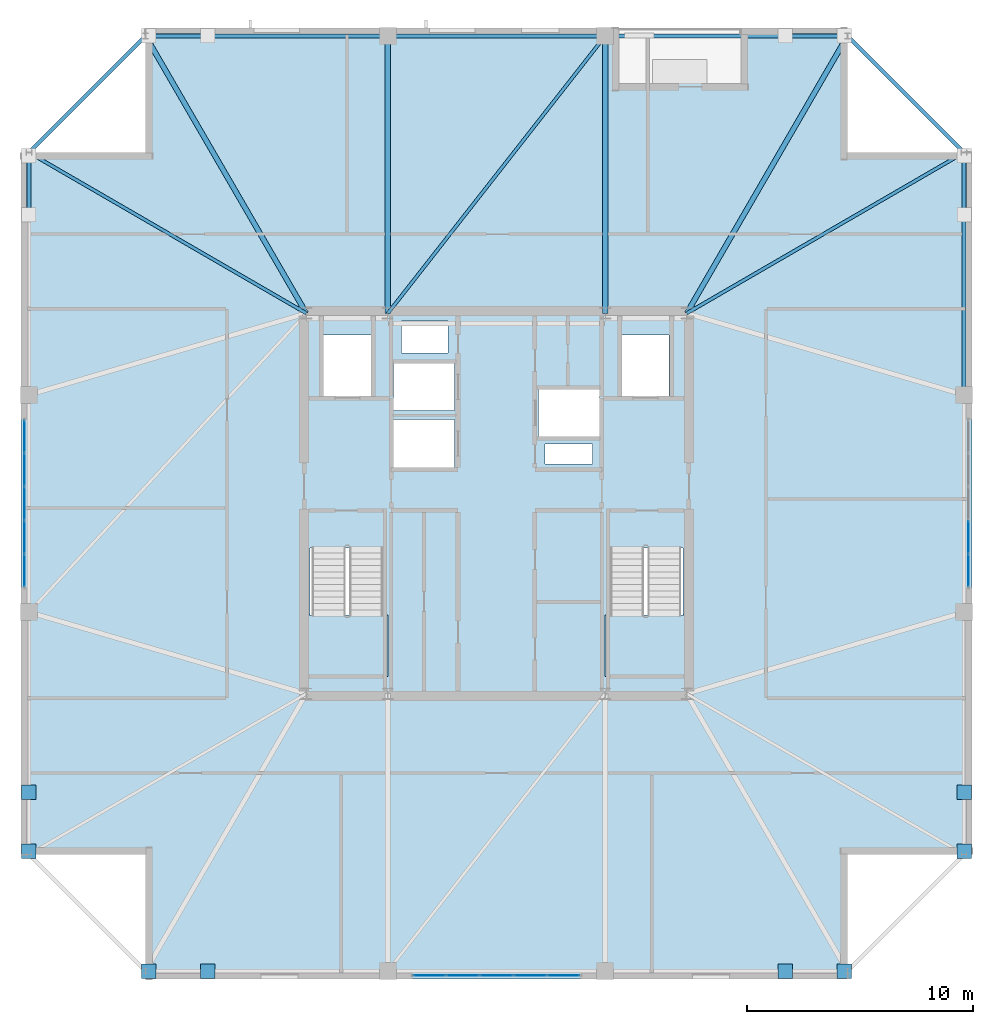
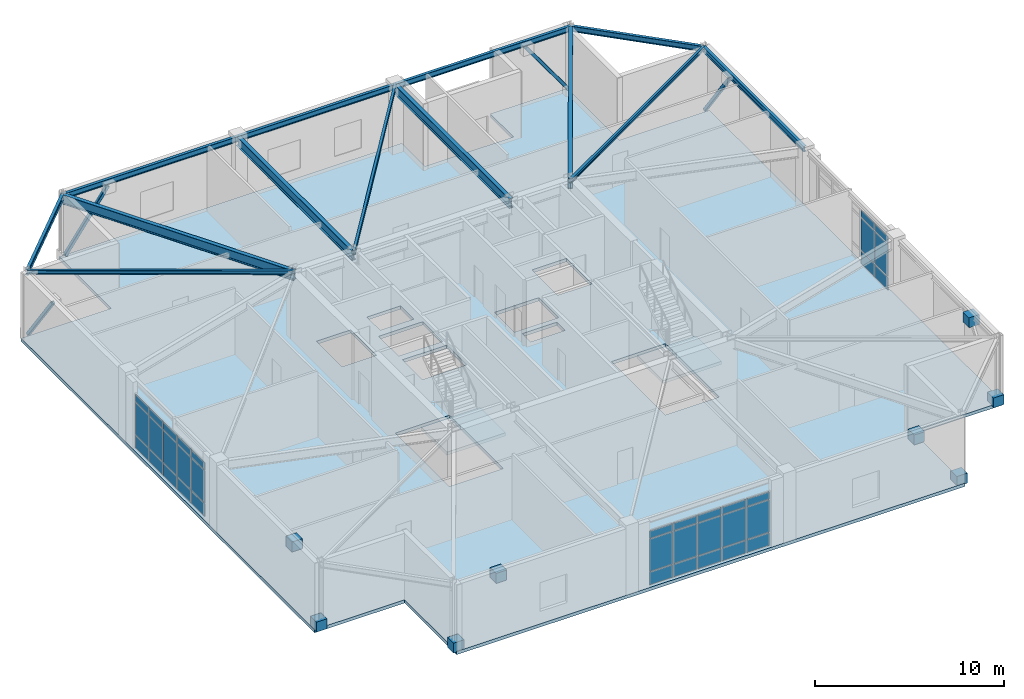
# One storey, part 10 of 16: 44 plates, 13 beams, 4 members, 3 slabs, 5 elements without a shape of their own.
"""IFC4 building model written with IfcOpenShell, lengths in metres."""

from ifc_helpers import new_model, si_unit, direction, frame, origin, origin_2d, place, context, subcontext, project, spatial, polyline, rectangle, hollow_rectangle, i_section, outline, extrude, material, layer, layer_set, material_profile, profile_set, type_object, element, aggregate, save


model = new_model("IFC4")

# Units and contexts
model_context = context("Model", 3, precision=1e-05, world=origin(), true_north=direction((0.0, 1.0)))
body_context = subcontext(model_context, "Body", "Model", "MODEL_VIEW")
ifc_project = project(units=[si_unit("LENGTHUNIT", "METRE"), si_unit("AREAUNIT", "SQUARE_METRE"), si_unit("VOLUMEUNIT", "CUBIC_METRE"), si_unit("PLANEANGLEUNIT", "RADIAN"), si_unit("MASSUNIT", "GRAM", prefix="KILO")], contexts=[model_context])

# Site, building, storey
site_placement = place(None, origin())
site = spatial("IfcSite", under=ifc_project, at=site_placement, CompositionType="ELEMENT")
building_placement = place(site_placement, origin())
building = spatial("IfcBuilding", under=site, at=building_placement, Name="Cairnveth Concourse Tower", CompositionType="ELEMENT")
storey_placement = place(building_placement, frame((0.0, 0.0, 315.5)))
storey = spatial("IfcBuildingStorey", under=building, at=storey_placement, Name="L87", CompositionType="ELEMENT", Elevation=315.5)

# Beams
ifc_material_1 = material(Name="Steel Grade 350", Category="steel")
ifc_material_profile_1 = material_profile(ifc_material_1, i_section(OverallWidth=0.14599609375, OverallDepth=0.256103515625, WebThickness=0.00634765625, FlangeThickness=0.010986328125, FilletRadius=0.009033203125, at=origin_2d()), Name="250UB37.3")
ifc_profile_set_1 = profile_set([ifc_material_profile_1], Name="Steel Grade 350")
beam_type_1 = type_object("IfcBeamType", Name="ZONE 4 FLOOR JOIST 250UB37.3", PredefinedType="JOIST", material=ifc_profile_set_1)
for number, where, z_axis, x_axis, name in (
    (1, (72.64990234375, 54.5, 4.162109375), (-0.86518141842, -0.501458984584, 0.0), (0.501458984584, -0.86518141842, 0.0), "Beam FJ-CNE2 L87"),
    (2, (31.35009765625, 54.5, 4.162109375), (0.86518141842, -0.501458984584, 0.0), (0.501458984584, 0.86518141842, 0.0), "Beam FJ-CNW2 L87"),
):
    element("IfcBeam", number, at=place(storey_placement, frame(where, z_axis=z_axis, x_axis=x_axis)), inside=storey, type_object=beam_type_1, Name=name, PredefinedType="JOIST", context=body_context, shape_type="SweptSolid", body=[
        extrude(i_section(OverallWidth=0.14599609375, OverallDepth=0.256103515625, WebThickness=0.00634765625, FlangeThickness=0.010986328125, FilletRadius=0.009033203125, at=origin_2d()), origin(), (0.0, 0.0, 1.0), 14.158935546875),
    ])
beam_1_placement = place(storey_placement, frame((47.199951171875, 47.39990234375, 4.162109375), z_axis=(0.616831762718, 0.787095023807, 0.0), x_axis=(-0.787095023807, 0.616831762718, 0.0)))
element("IfcBeam", 3, at=beam_1_placement, inside=storey, type_object=beam_type_1, Name="Beam FJ-N-M1 L87", PredefinedType="JOIST", context=body_context, shape_type="SweptSolid", body=[
    extrude(i_section(OverallWidth=0.14599609375, OverallDepth=0.256103515625, WebThickness=0.00634765625, FlangeThickness=0.010986328125, FilletRadius=0.009033203125, at=origin_2d()), origin(), (0.0, 0.0, 1.0), 15.5634765625),
])

# Members
ifc_material_2 = material(Name="Steel C350L0 (350 MPa)", Category="steel")
ifc_material_profile_2 = material_profile(ifc_material_2, hollow_rectangle(XDim=0.199951171875, YDim=0.199951171875, WallThickness=0.012451171875, InnerFilletRadius=0.012939453125, OuterFilletRadius=0.02490234375, at=origin_2d()), Name="200x200x12.5SHS")
ifc_profile_set_2 = profile_set([ifc_material_profile_2], Name="Steel C350L0 (350 MPa)")
member_type = type_object("IfcMemberType", Name="ZONE 4 PIER BRACE 200X200X12.5SHS", PredefinedType="BRACE", material=ifc_profile_set_2)
for number, where, z_axis, x_axis, name in (
    (4, (36.64990234375, 59.64990234375, 0.25), (0.586565875469, 0.0, 0.809901521011), (0.0, 1.0, 0.0), "Structural Brace PB-N1 L87"),
    (5, (67.35009765625, 59.64990234375, 0.25), (-0.586565875469, 0.0, 0.809901521011), (0.0, -1.0, 0.0), "Structural Brace PB-N2 L87"),
    (6, (31.35009765625, 54.35009765625, 0.25), (0.0, -0.586565875469, 0.809901521011), (1.0, 0.0, 0.0), "Structural Brace PB-W2 L87"),
    (7, (72.64990234375, 54.35009765625, 0.25), (0.0, -0.586565875469, 0.809901521011), (1.0, 0.0, 0.0), "Structural Brace PB-E2 L87"),
):
    element("IfcMember", number, at=place(storey_placement, frame(where, z_axis=z_axis, x_axis=x_axis)), inside=storey, type_object=member_type, Name=name, PredefinedType="BRACE", context=body_context, shape_type="SweptSolid", body=[
        extrude(hollow_rectangle(XDim=0.199951171875, YDim=0.199951171875, WallThickness=0.012451171875, InnerFilletRadius=0.012939453125, OuterFilletRadius=0.02490234375, at=origin_2d()), origin(), (0.0, 0.0, 1.0), 4.432861328125),
    ])

# Beams
ifc_material_profile_3 = material_profile(ifc_material_1, i_section(OverallWidth=0.22900390625, OverallDepth=0.612060546875, WebThickness=0.011962890625, FlangeThickness=0.01953125, FilletRadius=0.013916015625, at=origin_2d()), Name="610UB125")
ifc_profile_set_3 = profile_set([ifc_material_profile_3], Name="Steel Grade 350")
beam_type_2 = type_object("IfcBeamType", Name="ZONE 4 RADIAL GIRDER 610UB125", PredefinedType="BEAM", material=ifc_profile_set_3)
for number, where, z_axis, x_axis, name in (
    (8, (47.199951171875, 47.39990234375, 3.98388671875), (0.0, 1.0, 0.0), (-1.0, 0.0, 0.0), "Beam RG-N1 L87"),
    (9, (56.800048828125, 47.39990234375, 3.98388671875), (0.0, 1.0, 0.0), (-1.0, 0.0, 0.0), "Beam RG-N2 L87"),
):
    element("IfcBeam", number, at=place(storey_placement, frame(where, z_axis=z_axis, x_axis=x_axis)), inside=storey, type_object=beam_type_2, Name=name, PredefinedType="BEAM", context=body_context, shape_type="SweptSolid", body=[
        extrude(i_section(OverallWidth=0.22900390625, OverallDepth=0.612060546875, WebThickness=0.011962890625, FlangeThickness=0.01953125, FilletRadius=0.013916015625, at=origin_2d()), origin(), (0.0, 0.0, 1.0), 12.25),
    ])
for number, where, z_axis, x_axis, name in (
    (10, (67.5, 59.64990234375, 3.98388671875), (-0.501458984584, -0.86518141842, 0.0), (0.86518141842, -0.501458984584, 0.0), "Beam RG-CNE L87"),
    (11, (36.5, 59.64990234375, 3.98388671875), (0.501458984584, -0.86518141842, 0.0), (0.86518141842, 0.501458984584, 0.0), "Beam RG-CNW L87"),
):
    element("IfcBeam", number, at=place(storey_placement, frame(where, z_axis=z_axis, x_axis=x_axis)), inside=storey, type_object=beam_type_2, Name=name, PredefinedType="BEAM", context=body_context, shape_type="SweptSolid", body=[
        extrude(i_section(OverallWidth=0.22900390625, OverallDepth=0.612060546875, WebThickness=0.011962890625, FlangeThickness=0.01953125, FilletRadius=0.013916015625, at=origin_2d()), origin(), (0.0, 0.0, 1.0), 14.158935546875),
    ])
ifc_material_profile_4 = material_profile(ifc_material_1, i_section(OverallWidth=0.172119140625, OverallDepth=0.35888671875, WebThickness=0.008056640625, FlangeThickness=0.012939453125, FilletRadius=0.010986328125, at=origin_2d()), Name="360UB56.7")
ifc_profile_set_4 = profile_set([ifc_material_profile_4], Name="Steel Grade 350")
beam_type_3 = type_object("IfcBeamType", Name="ZONE 4 SPANDREL BEAM 360UB56.7", PredefinedType="SPANDREL", material=ifc_profile_set_4)
beam_2_placement = place(storey_placement, frame((36.5, 59.64990234375, 4.110595703125), z_axis=(1.0, 0.0, 0.0), x_axis=(0.0, 1.0, 0.0)))
element("IfcBeam", 12, at=beam_2_placement, inside=storey, type_object=beam_type_3, Name="Beam SP-N1 L87", PredefinedType="SPANDREL", context=body_context, shape_type="SweptSolid", body=[
    extrude(i_section(OverallWidth=0.172119140625, OverallDepth=0.35888671875, WebThickness=0.008056640625, FlangeThickness=0.012939453125, FilletRadius=0.010986328125, at=origin_2d()), origin(), (0.0, 0.0, 1.0), 10.699951171875),
])
beam_3_placement = place(storey_placement, frame((47.199951171875, 59.64990234375, 4.110595703125), z_axis=(1.0, 0.0, 0.0), x_axis=(0.0, 1.0, 0.0)))
element("IfcBeam", 13, at=beam_3_placement, inside=storey, type_object=beam_type_3, Name="Beam SP-N2 L87", PredefinedType="SPANDREL", context=body_context, shape_type="SweptSolid", body=[
    extrude(i_section(OverallWidth=0.172119140625, OverallDepth=0.35888671875, WebThickness=0.008056640625, FlangeThickness=0.012939453125, FilletRadius=0.010986328125, at=origin_2d()), origin(), (0.0, 0.0, 1.0), 9.60009765625),
])
for number, where, z_axis, x_axis, name in (
    (14, (56.800048828125, 59.64990234375, 4.110595703125), (1.0, 0.0, 0.0), (0.0, 1.0, 0.0), "Beam SP-N3 L87"),
    (15, (72.64990234375, 43.800048828125, 4.110595703125), (0.0, 1.0, 0.0), (-1.0, 0.0, 0.0), "Beam SP-E3 L87"),
):
    element("IfcBeam", number, at=place(storey_placement, frame(where, z_axis=z_axis, x_axis=x_axis)), inside=storey, type_object=beam_type_3, Name=name, PredefinedType="SPANDREL", context=body_context, shape_type="SweptSolid", body=[
        extrude(i_section(OverallWidth=0.172119140625, OverallDepth=0.35888671875, WebThickness=0.008056640625, FlangeThickness=0.012939453125, FilletRadius=0.010986328125, at=origin_2d()), origin(), (0.0, 0.0, 1.0), 10.699951171875),
    ])
for number, where, z_axis, x_axis, name in (
    (16, (67.5, 59.64990234375, 4.110595703125), (0.707106781187, -0.707106781187, 0.0), (0.707106781187, 0.707106781187, 0.0), "Beam SP-NE L87"),
    (17, (31.35009765625, 54.5, 4.110595703125), (0.707106781187, 0.707106781187, 0.0), (-0.707106781187, 0.707106781187, 0.0), "Beam SP-NW L87"),
):
    element("IfcBeam", number, at=place(storey_placement, frame(where, z_axis=z_axis, x_axis=x_axis)), inside=storey, type_object=beam_type_3, Name=name, PredefinedType="SPANDREL", context=body_context, shape_type="SweptSolid", body=[
        extrude(i_section(OverallWidth=0.172119140625, OverallDepth=0.35888671875, WebThickness=0.008056640625, FlangeThickness=0.012939453125, FilletRadius=0.010986328125, at=origin_2d()), origin(), (0.0, 0.0, 1.0), 7.282958984375),
    ])

# Curtain wall, plates
ifc_material_3 = material(Name="Architectural Bronze Anodised Aluminium 6063-T6", Category="aluminium")
ifc_layer_1 = layer(ifc_material_3, 0.300048828125)
ifc_layer_set_1 = layer_set([ifc_layer_1], Name="Architectural Bronze Anodised Aluminium 6063-T6")
curtain_wall_type = type_object("IfcCurtainWallType", Name="OBSERVATION HORIZON CURTAIN WALL", PredefinedType="USERDEFINED", material=ifc_layer_set_1)
curtain_wall_1_placement = place(storey_placement, origin())
curtain_wall_1 = element("IfcCurtainWall", 18, at=curtain_wall_1_placement, inside=storey, type_object=curtain_wall_type, Name="Curtain Wall CW-L87-F3", ObjectType="UNITISED FACADE", PredefinedType="USERDEFINED")
ifc_material_4 = material(Name="Double Glazed Low-E Clear Glass", Category="glass")
ifc_layer_2 = layer(ifc_material_4, 0.028076171875)
ifc_layer_set_2 = layer_set([ifc_layer_2], Name="Double Glazed Low-E Clear Glass")
plate_type_1 = type_object("IfcPlateType", Name="DOUBLE GLAZED LOW-E CURTAIN PANEL 28", PredefinedType="CURTAIN_PANEL", material=ifc_layer_set_2)
plate_1_placement = place(storey_placement, frame((72.85009765625, 37.513916015625, 0.06494140625), z_axis=(0.0, 0.0, 1.0), x_axis=(0.0, -1.0, 0.0)))
plate_1 = element("IfcPlate", 19, at=plate_1_placement, type_object=plate_type_1, Name="CWS5 panel 4.1", PredefinedType="CURTAIN_PANEL", context=body_context, shape_type="SweptSolid", body=[
    extrude(rectangle(XDim=1.4208984375, YDim=0.028076171875, at=origin_2d()), origin(), (0.0, 0.0, 1.0), 0.802490234375),
])
plate_2_placement = place(storey_placement, frame((72.85009765625, 37.513916015625, 0.9326171875), z_axis=(0.0, 0.0, 1.0), x_axis=(0.0, -1.0, 0.0)))
plate_2 = element("IfcPlate", 20, at=plate_2_placement, type_object=plate_type_1, Name="CWS5 panel 4.2", PredefinedType="CURTAIN_PANEL", context=body_context, shape_type="SweptSolid", body=[
    extrude(rectangle(XDim=1.4208984375, YDim=0.028076171875, at=origin_2d()), origin(), (0.0, 0.0, 1.0), 2.06298828125),
])
plate_3_placement = place(storey_placement, frame((72.85009765625, 37.513916015625, 3.060546875), z_axis=(0.0, 0.0, 1.0), x_axis=(0.0, -1.0, 0.0)))
plate_3 = element("IfcPlate", 21, at=plate_3_placement, type_object=plate_type_1, Name="CWS5 panel 4.3", PredefinedType="CURTAIN_PANEL", context=body_context, shape_type="SweptSolid", body=[
    extrude(rectangle(XDim=1.4208984375, YDim=0.028076171875, at=origin_2d()), origin(), (0.0, 0.0, 1.0), 0.452392578125),
])
plate_4_placement = place(storey_placement, frame((72.85009765625, 36.044189453125, 0.06494140625), z_axis=(0.0, 0.0, 1.0), x_axis=(0.0, -1.0, 0.0)))
plate_4 = element("IfcPlate", 22, at=plate_4_placement, type_object=plate_type_1, Name="CWS5 panel 5.1", PredefinedType="CURTAIN_PANEL", context=body_context, shape_type="SweptSolid", body=[
    extrude(rectangle(XDim=1.388427734375, YDim=0.028076171875, at=origin_2d()), origin(), (0.0, 0.0, 1.0), 0.802490234375),
])
plate_5_placement = place(storey_placement, frame((72.85009765625, 36.044189453125, 0.9326171875), z_axis=(0.0, 0.0, 1.0), x_axis=(0.0, -1.0, 0.0)))
plate_5 = element("IfcPlate", 23, at=plate_5_placement, type_object=plate_type_1, Name="CWS5 panel 5.2", PredefinedType="CURTAIN_PANEL", context=body_context, shape_type="SweptSolid", body=[
    extrude(rectangle(XDim=1.388427734375, YDim=0.028076171875, at=origin_2d()), origin(), (0.0, 0.0, 1.0), 2.06298828125),
])
plate_6_placement = place(storey_placement, frame((72.85009765625, 36.044189453125, 3.060546875), z_axis=(0.0, 0.0, 1.0), x_axis=(0.0, -1.0, 0.0)))
plate_6 = element("IfcPlate", 24, at=plate_6_placement, type_object=plate_type_1, Name="CWS5 panel 5.3", PredefinedType="CURTAIN_PANEL", context=body_context, shape_type="SweptSolid", body=[
    extrude(rectangle(XDim=1.388427734375, YDim=0.028076171875, at=origin_2d()), origin(), (0.0, 0.0, 1.0), 0.452392578125),
])
aggregate(curtain_wall_1, [plate_1, plate_2, plate_3, plate_4, plate_5, plate_6])

curtain_wall_2_placement = place(storey_placement, origin())
curtain_wall_2 = element("IfcCurtainWall", 25, at=curtain_wall_2_placement, inside=storey, type_object=curtain_wall_type, Name="Curtain Wall CW-L87-F6", ObjectType="UNITISED FACADE", PredefinedType="USERDEFINED")
plate_7_placement = place(storey_placement, frame((54.955810546875, 18.14990234375, 0.06494140625), z_axis=(0.0, 0.0, 1.0), x_axis=(-1.0, 0.0, 0.0)))
plate_7 = element("IfcPlate", 26, at=plate_7_placement, type_object=plate_type_1, Name="CWS5 panel 1.1", PredefinedType="CURTAIN_PANEL", context=body_context, shape_type="SweptSolid", body=[
    extrude(rectangle(XDim=1.388427734375, YDim=0.028076171875, at=origin_2d()), origin(), (0.0, 0.0, 1.0), 0.802490234375),
])
plate_8_placement = place(storey_placement, frame((54.955810546875, 18.14990234375, 0.9326171875), z_axis=(0.0, 0.0, 1.0), x_axis=(-1.0, 0.0, 0.0)))
plate_8 = element("IfcPlate", 27, at=plate_8_placement, type_object=plate_type_1, Name="CWS5 panel 1.2", PredefinedType="CURTAIN_PANEL", context=body_context, shape_type="SweptSolid", body=[
    extrude(rectangle(XDim=1.388427734375, YDim=0.028076171875, at=origin_2d()), origin(), (0.0, 0.0, 1.0), 2.06298828125),
])
plate_9_placement = place(storey_placement, frame((54.955810546875, 18.14990234375, 3.060546875), z_axis=(0.0, 0.0, 1.0), x_axis=(-1.0, 0.0, 0.0)))
plate_9 = element("IfcPlate", 28, at=plate_9_placement, type_object=plate_type_1, Name="CWS5 panel 1.3", PredefinedType="CURTAIN_PANEL", context=body_context, shape_type="SweptSolid", body=[
    extrude(rectangle(XDim=1.388427734375, YDim=0.028076171875, at=origin_2d()), origin(), (0.0, 0.0, 1.0), 0.452392578125),
])
plate_10_placement = place(storey_placement, frame((53.486083984375, 18.14990234375, 0.06494140625), z_axis=(0.0, 0.0, 1.0), x_axis=(-1.0, 0.0, 0.0)))
plate_10 = element("IfcPlate", 29, at=plate_10_placement, type_object=plate_type_1, Name="CWS5 panel 2.1", PredefinedType="CURTAIN_PANEL", context=body_context, shape_type="SweptSolid", body=[
    extrude(rectangle(XDim=1.4208984375, YDim=0.028076171875, at=origin_2d()), origin(), (0.0, 0.0, 1.0), 0.802490234375),
])
plate_11_placement = place(storey_placement, frame((53.486083984375, 18.14990234375, 0.9326171875), z_axis=(0.0, 0.0, 1.0), x_axis=(-1.0, 0.0, 0.0)))
plate_11 = element("IfcPlate", 30, at=plate_11_placement, type_object=plate_type_1, Name="CWS5 panel 2.2", PredefinedType="CURTAIN_PANEL", context=body_context, shape_type="SweptSolid", body=[
    extrude(rectangle(XDim=1.4208984375, YDim=0.028076171875, at=origin_2d()), origin(), (0.0, 0.0, 1.0), 2.06298828125),
])
plate_12_placement = place(storey_placement, frame((53.486083984375, 18.14990234375, 3.060546875), z_axis=(0.0, 0.0, 1.0), x_axis=(-1.0, 0.0, 0.0)))
plate_12 = element("IfcPlate", 31, at=plate_12_placement, type_object=plate_type_1, Name="CWS5 panel 2.3", PredefinedType="CURTAIN_PANEL", context=body_context, shape_type="SweptSolid", body=[
    extrude(rectangle(XDim=1.4208984375, YDim=0.028076171875, at=origin_2d()), origin(), (0.0, 0.0, 1.0), 0.452392578125),
])
plate_13_placement = place(storey_placement, frame((52.0, 18.14990234375, 0.06494140625), z_axis=(0.0, 0.0, 1.0), x_axis=(-1.0, 0.0, 0.0)))
plate_13 = element("IfcPlate", 32, at=plate_13_placement, type_object=plate_type_1, Name="CWS5 panel 3.1", PredefinedType="CURTAIN_PANEL", context=body_context, shape_type="SweptSolid", body=[
    extrude(rectangle(XDim=1.4208984375, YDim=0.028076171875, at=origin_2d()), origin(), (0.0, 0.0, 1.0), 0.802490234375),
])
plate_14_placement = place(storey_placement, frame((52.0, 18.14990234375, 0.9326171875), z_axis=(0.0, 0.0, 1.0), x_axis=(-1.0, 0.0, 0.0)))
plate_14 = element("IfcPlate", 33, at=plate_14_placement, type_object=plate_type_1, Name="CWS5 panel 3.2", PredefinedType="CURTAIN_PANEL", context=body_context, shape_type="SweptSolid", body=[
    extrude(rectangle(XDim=1.4208984375, YDim=0.028076171875, at=origin_2d()), origin(), (0.0, 0.0, 1.0), 2.06298828125),
])
plate_15_placement = place(storey_placement, frame((52.0, 18.14990234375, 3.060546875), z_axis=(0.0, 0.0, 1.0), x_axis=(-1.0, 0.0, 0.0)))
plate_15 = element("IfcPlate", 34, at=plate_15_placement, type_object=plate_type_1, Name="CWS5 panel 3.3", PredefinedType="CURTAIN_PANEL", context=body_context, shape_type="SweptSolid", body=[
    extrude(rectangle(XDim=1.4208984375, YDim=0.028076171875, at=origin_2d()), origin(), (0.0, 0.0, 1.0), 0.452392578125),
])
plate_16_placement = place(storey_placement, frame((50.513916015625, 18.14990234375, 0.06494140625), z_axis=(0.0, 0.0, 1.0), x_axis=(-1.0, 0.0, 0.0)))
plate_16 = element("IfcPlate", 35, at=plate_16_placement, type_object=plate_type_1, Name="CWS5 panel 4.1", PredefinedType="CURTAIN_PANEL", context=body_context, shape_type="SweptSolid", body=[
    extrude(rectangle(XDim=1.4208984375, YDim=0.028076171875, at=origin_2d()), origin(), (0.0, 0.0, 1.0), 0.802490234375),
])
plate_17_placement = place(storey_placement, frame((50.513916015625, 18.14990234375, 0.9326171875), z_axis=(0.0, 0.0, 1.0), x_axis=(-1.0, 0.0, 0.0)))
plate_17 = element("IfcPlate", 36, at=plate_17_placement, type_object=plate_type_1, Name="CWS5 panel 4.2", PredefinedType="CURTAIN_PANEL", context=body_context, shape_type="SweptSolid", body=[
    extrude(rectangle(XDim=1.4208984375, YDim=0.028076171875, at=origin_2d()), origin(), (0.0, 0.0, 1.0), 2.06298828125),
])
plate_18_placement = place(storey_placement, frame((50.513916015625, 18.14990234375, 3.060546875), z_axis=(0.0, 0.0, 1.0), x_axis=(-1.0, 0.0, 0.0)))
plate_18 = element("IfcPlate", 37, at=plate_18_placement, type_object=plate_type_1, Name="CWS5 panel 4.3", PredefinedType="CURTAIN_PANEL", context=body_context, shape_type="SweptSolid", body=[
    extrude(rectangle(XDim=1.4208984375, YDim=0.028076171875, at=origin_2d()), origin(), (0.0, 0.0, 1.0), 0.452392578125),
])
plate_19_placement = place(storey_placement, frame((49.044189453125, 18.14990234375, 0.06494140625), z_axis=(0.0, 0.0, 1.0), x_axis=(-1.0, 0.0, 0.0)))
plate_19 = element("IfcPlate", 38, at=plate_19_placement, type_object=plate_type_1, Name="CWS5 panel 5.1", PredefinedType="CURTAIN_PANEL", context=body_context, shape_type="SweptSolid", body=[
    extrude(rectangle(XDim=1.388427734375, YDim=0.028076171875, at=origin_2d()), origin(), (0.0, 0.0, 1.0), 0.802490234375),
])
plate_20_placement = place(storey_placement, frame((49.044189453125, 18.14990234375, 0.9326171875), z_axis=(0.0, 0.0, 1.0), x_axis=(-1.0, 0.0, 0.0)))
plate_20 = element("IfcPlate", 39, at=plate_20_placement, type_object=plate_type_1, Name="CWS5 panel 5.2", PredefinedType="CURTAIN_PANEL", context=body_context, shape_type="SweptSolid", body=[
    extrude(rectangle(XDim=1.388427734375, YDim=0.028076171875, at=origin_2d()), origin(), (0.0, 0.0, 1.0), 2.06298828125),
])
plate_21_placement = place(storey_placement, frame((49.044189453125, 18.14990234375, 3.060546875), z_axis=(0.0, 0.0, 1.0), x_axis=(-1.0, 0.0, 0.0)))
plate_21 = element("IfcPlate", 40, at=plate_21_placement, type_object=plate_type_1, Name="CWS5 panel 5.3", PredefinedType="CURTAIN_PANEL", context=body_context, shape_type="SweptSolid", body=[
    extrude(rectangle(XDim=1.388427734375, YDim=0.028076171875, at=origin_2d()), origin(), (0.0, 0.0, 1.0), 0.452392578125),
])
aggregate(curtain_wall_2, [plate_7, plate_8, plate_9, plate_10, plate_11, plate_12, plate_13, plate_14, plate_15, plate_16, plate_17, plate_18, plate_19, plate_20, plate_21])

curtain_wall_3_placement = place(storey_placement, origin())
curtain_wall_3 = element("IfcCurtainWall", 41, at=curtain_wall_3_placement, inside=storey, type_object=curtain_wall_type, Name="Curtain Wall CW-L87-F9", ObjectType="UNITISED FACADE", PredefinedType="USERDEFINED")
plate_22_placement = place(storey_placement, frame((31.14990234375, 36.044189453125, 0.06494140625), z_axis=(0.0, 0.0, 1.0), x_axis=(0.0, 1.0, 0.0)))
plate_22 = element("IfcPlate", 42, at=plate_22_placement, type_object=plate_type_1, Name="CWS5 panel 1.1", PredefinedType="CURTAIN_PANEL", context=body_context, shape_type="SweptSolid", body=[
    extrude(rectangle(XDim=1.388427734375, YDim=0.028076171875, at=origin_2d()), origin(), (0.0, 0.0, 1.0), 0.802490234375),
])
plate_23_placement = place(storey_placement, frame((31.14990234375, 36.044189453125, 0.9326171875), z_axis=(0.0, 0.0, 1.0), x_axis=(0.0, 1.0, 0.0)))
plate_23 = element("IfcPlate", 43, at=plate_23_placement, type_object=plate_type_1, Name="CWS5 panel 1.2", PredefinedType="CURTAIN_PANEL", context=body_context, shape_type="SweptSolid", body=[
    extrude(rectangle(XDim=1.388427734375, YDim=0.028076171875, at=origin_2d()), origin(), (0.0, 0.0, 1.0), 2.06298828125),
])
plate_24_placement = place(storey_placement, frame((31.14990234375, 36.044189453125, 3.060546875), z_axis=(0.0, 0.0, 1.0), x_axis=(0.0, 1.0, 0.0)))
plate_24 = element("IfcPlate", 44, at=plate_24_placement, type_object=plate_type_1, Name="CWS5 panel 1.3", PredefinedType="CURTAIN_PANEL", context=body_context, shape_type="SweptSolid", body=[
    extrude(rectangle(XDim=1.388427734375, YDim=0.028076171875, at=origin_2d()), origin(), (0.0, 0.0, 1.0), 0.452392578125),
])
plate_25_placement = place(storey_placement, frame((31.14990234375, 37.513916015625, 0.06494140625), z_axis=(0.0, 0.0, 1.0), x_axis=(0.0, 1.0, 0.0)))
plate_25 = element("IfcPlate", 45, at=plate_25_placement, type_object=plate_type_1, Name="CWS5 panel 2.1", PredefinedType="CURTAIN_PANEL", context=body_context, shape_type="SweptSolid", body=[
    extrude(rectangle(XDim=1.4208984375, YDim=0.028076171875, at=origin_2d()), origin(), (0.0, 0.0, 1.0), 0.802490234375),
])
plate_26_placement = place(storey_placement, frame((31.14990234375, 37.513916015625, 0.9326171875), z_axis=(0.0, 0.0, 1.0), x_axis=(0.0, 1.0, 0.0)))
plate_26 = element("IfcPlate", 46, at=plate_26_placement, type_object=plate_type_1, Name="CWS5 panel 2.2", PredefinedType="CURTAIN_PANEL", context=body_context, shape_type="SweptSolid", body=[
    extrude(rectangle(XDim=1.4208984375, YDim=0.028076171875, at=origin_2d()), origin(), (0.0, 0.0, 1.0), 2.06298828125),
])
plate_27_placement = place(storey_placement, frame((31.14990234375, 37.513916015625, 3.060546875), z_axis=(0.0, 0.0, 1.0), x_axis=(0.0, 1.0, 0.0)))
plate_27 = element("IfcPlate", 47, at=plate_27_placement, type_object=plate_type_1, Name="CWS5 panel 2.3", PredefinedType="CURTAIN_PANEL", context=body_context, shape_type="SweptSolid", body=[
    extrude(rectangle(XDim=1.4208984375, YDim=0.028076171875, at=origin_2d()), origin(), (0.0, 0.0, 1.0), 0.452392578125),
])
plate_28_placement = place(storey_placement, frame((31.14990234375, 39.0, 0.06494140625), z_axis=(0.0, 0.0, 1.0), x_axis=(0.0, 1.0, 0.0)))
plate_28 = element("IfcPlate", 48, at=plate_28_placement, type_object=plate_type_1, Name="CWS5 panel 3.1", PredefinedType="CURTAIN_PANEL", context=body_context, shape_type="SweptSolid", body=[
    extrude(rectangle(XDim=1.4208984375, YDim=0.028076171875, at=origin_2d()), origin(), (0.0, 0.0, 1.0), 0.802490234375),
])
plate_29_placement = place(storey_placement, frame((31.14990234375, 39.0, 0.9326171875), z_axis=(0.0, 0.0, 1.0), x_axis=(0.0, 1.0, 0.0)))
plate_29 = element("IfcPlate", 49, at=plate_29_placement, type_object=plate_type_1, Name="CWS5 panel 3.2", PredefinedType="CURTAIN_PANEL", context=body_context, shape_type="SweptSolid", body=[
    extrude(rectangle(XDim=1.4208984375, YDim=0.028076171875, at=origin_2d()), origin(), (0.0, 0.0, 1.0), 2.06298828125),
])
plate_30_placement = place(storey_placement, frame((31.14990234375, 39.0, 3.060546875), z_axis=(0.0, 0.0, 1.0), x_axis=(0.0, 1.0, 0.0)))
plate_30 = element("IfcPlate", 50, at=plate_30_placement, type_object=plate_type_1, Name="CWS5 panel 3.3", PredefinedType="CURTAIN_PANEL", context=body_context, shape_type="SweptSolid", body=[
    extrude(rectangle(XDim=1.4208984375, YDim=0.028076171875, at=origin_2d()), origin(), (0.0, 0.0, 1.0), 0.452392578125),
])
plate_31_placement = place(storey_placement, frame((31.14990234375, 40.486083984375, 0.06494140625), z_axis=(0.0, 0.0, 1.0), x_axis=(0.0, 1.0, 0.0)))
plate_31 = element("IfcPlate", 51, at=plate_31_placement, type_object=plate_type_1, Name="CWS5 panel 4.1", PredefinedType="CURTAIN_PANEL", context=body_context, shape_type="SweptSolid", body=[
    extrude(rectangle(XDim=1.4208984375, YDim=0.028076171875, at=origin_2d()), origin(), (0.0, 0.0, 1.0), 0.802490234375),
])
plate_32_placement = place(storey_placement, frame((31.14990234375, 40.486083984375, 0.9326171875), z_axis=(0.0, 0.0, 1.0), x_axis=(0.0, 1.0, 0.0)))
plate_32 = element("IfcPlate", 52, at=plate_32_placement, type_object=plate_type_1, Name="CWS5 panel 4.2", PredefinedType="CURTAIN_PANEL", context=body_context, shape_type="SweptSolid", body=[
    extrude(rectangle(XDim=1.4208984375, YDim=0.028076171875, at=origin_2d()), origin(), (0.0, 0.0, 1.0), 2.06298828125),
])
plate_33_placement = place(storey_placement, frame((31.14990234375, 40.486083984375, 3.060546875), z_axis=(0.0, 0.0, 1.0), x_axis=(0.0, 1.0, 0.0)))
plate_33 = element("IfcPlate", 53, at=plate_33_placement, type_object=plate_type_1, Name="CWS5 panel 4.3", PredefinedType="CURTAIN_PANEL", context=body_context, shape_type="SweptSolid", body=[
    extrude(rectangle(XDim=1.4208984375, YDim=0.028076171875, at=origin_2d()), origin(), (0.0, 0.0, 1.0), 0.452392578125),
])
plate_34_placement = place(storey_placement, frame((31.14990234375, 41.955810546875, 0.06494140625), z_axis=(0.0, 0.0, 1.0), x_axis=(0.0, 1.0, 0.0)))
plate_34 = element("IfcPlate", 54, at=plate_34_placement, type_object=plate_type_1, Name="CWS5 panel 5.1", PredefinedType="CURTAIN_PANEL", context=body_context, shape_type="SweptSolid", body=[
    extrude(rectangle(XDim=1.388427734375, YDim=0.028076171875, at=origin_2d()), origin(), (0.0, 0.0, 1.0), 0.802490234375),
])
plate_35_placement = place(storey_placement, frame((31.14990234375, 41.955810546875, 0.9326171875), z_axis=(0.0, 0.0, 1.0), x_axis=(0.0, 1.0, 0.0)))
plate_35 = element("IfcPlate", 55, at=plate_35_placement, type_object=plate_type_1, Name="CWS5 panel 5.2", PredefinedType="CURTAIN_PANEL", context=body_context, shape_type="SweptSolid", body=[
    extrude(rectangle(XDim=1.388427734375, YDim=0.028076171875, at=origin_2d()), origin(), (0.0, 0.0, 1.0), 2.06298828125),
])
plate_36_placement = place(storey_placement, frame((31.14990234375, 41.955810546875, 3.060546875), z_axis=(0.0, 0.0, 1.0), x_axis=(0.0, 1.0, 0.0)))
plate_36 = element("IfcPlate", 56, at=plate_36_placement, type_object=plate_type_1, Name="CWS5 panel 5.3", PredefinedType="CURTAIN_PANEL", context=body_context, shape_type="SweptSolid", body=[
    extrude(rectangle(XDim=1.388427734375, YDim=0.028076171875, at=origin_2d()), origin(), (0.0, 0.0, 1.0), 0.452392578125),
])
aggregate(curtain_wall_3, [plate_22, plate_23, plate_24, plate_25, plate_26, plate_27, plate_28, plate_29, plate_30, plate_31, plate_32, plate_33, plate_34, plate_35, plate_36])

# Plates
ifc_layer_3 = layer(ifc_material_1, 0.031982421875)
ifc_layer_set_3 = layer_set([ifc_layer_3], Name="Steel Grade 350")
plate_type_2 = type_object("IfcPlateType", Name="PERIMETER BRACE GUSSET PLATE 32", PredefinedType="USERDEFINED", material=ifc_layer_set_3)
for number, where, z_axis, x_axis, name in (
    (57, (36.64990234375, 18.35009765625, -0.06982421875), (0.0, 0.0, 1.0), (1.0, 0.0, 0.0), "Structural Node Plate 1529 L87"),
    (58, (39.25, 18.35009765625, 3.52001953125), (0.0, 0.0, 1.0), (1.0, 0.0, 0.0), "Structural Node Plate 1530 L87"),
    (59, (67.35009765625, 18.35009765625, -0.06982421875), (0.0, 0.0, 1.0), (1.0, 0.0, 0.0), "Structural Node Plate 1531 L87"),
    (60, (64.75, 18.35009765625, 3.52001953125), (0.0, 0.0, 1.0), (1.0, 0.0, 0.0), "Structural Node Plate 1532 L87"),
    (61, (31.35009765625, 23.64990234375, -0.06982421875), (0.0, 0.0, 1.0), (1.0, 0.0, 0.0), "Structural Node Plate 1537 L87"),
    (62, (31.35009765625, 26.25, 3.52001953125), (0.0, 0.0, 1.0), (1.0, 0.0, 0.0), "Structural Node Plate 1538 L87"),
    (63, (72.64990234375, 23.64990234375, -0.06982421875), (0.0, 0.0, 1.0), (1.0, 0.0, 0.0), "Structural Node Plate 1541 L87"),
    (64, (72.64990234375, 26.25, 3.52001953125), (0.0, 0.0, 1.0), (1.0, 0.0, 0.0), "Structural Node Plate 1542 L87"),
):
    element("IfcPlate", number, at=place(storey_placement, frame(where, z_axis=z_axis, x_axis=x_axis)), inside=storey, type_object=plate_type_2, Name=name, ObjectType="GUSSET PLATE", PredefinedType="USERDEFINED", context=body_context, shape_type="SweptSolid", body=[
        extrude(rectangle(XDim=0.639892578125, YDim=0.639892578125, at=origin_2d()), origin(), (0.0, 0.0, 1.0), 0.639892578125),
    ])

# Stair, slab
ifc_material_5 = material(Name="Precast concrete N50 (50 MPa)", Category="concrete")
stair_type = type_object("IfcStairType", Name="CORE DOG-LEG FIRE STAIR 1500", PredefinedType="HALF_TURN_STAIR", material=ifc_material_5)
stair_1_placement = place(storey_placement, origin())
stair_1 = element("IfcStair", 65, at=stair_1_placement, inside=storey, type_object=stair_type, Name="L87 Fire-Isolated Stair ST-1", PredefinedType="HALF_TURN_STAIR")
ifc_material_6 = material(Name="Concrete N50 (50 MPa)", Category="concrete")
ifc_layer_4 = layer(ifc_material_6, 0.199951171875)
ifc_layer_set_4 = layer_set([ifc_layer_4], Name="Concrete N50 (50 MPa)")
slab_type_1 = type_object("IfcSlabType", Name="STAIR HALF LANDING SLAB 200", PredefinedType="LANDING", material=ifc_layer_set_4)
slab_1_placement = place(storey_placement, frame((0.0, 0.0, 2.050048828125)))
slab_1 = element("IfcSlab", 66, at=slab_1_placement, type_object=slab_type_1, Name="ST-1 landing 1", PredefinedType="LANDING", context=body_context, shape_type="SweptSolid", body=[
    extrude(outline(polyline([(43.6201171875, 34.080078125), (43.6201171875, 31.3701171875), (47.199951171875, 31.3701171875), (47.199951171875, 34.080078125), (43.6201171875, 34.080078125)])), origin(), (0.0, 0.0, 1.0), 0.199951171875),
])
aggregate(stair_1, [slab_1])

stair_2_placement = place(storey_placement, origin())
stair_2 = element("IfcStair", 67, at=stair_2_placement, inside=storey, type_object=stair_type, Name="L87 Fire-Isolated Stair ST-2", PredefinedType="HALF_TURN_STAIR")
slab_2_placement = place(storey_placement, frame((0.0, 0.0, 2.050048828125)))
slab_2 = element("IfcSlab", 68, at=slab_2_placement, type_object=slab_type_1, Name="ST-2 landing 1", PredefinedType="LANDING", context=body_context, shape_type="SweptSolid", body=[
    extrude(outline(polyline([(56.800048828125, 34.080078125), (56.800048828125, 31.3701171875), (60.3798828125, 31.3701171875), (60.3798828125, 34.080078125), (56.800048828125, 34.080078125)])), origin(), (0.0, 0.0, 1.0), 0.199951171875),
])
aggregate(stair_2, [slab_2])

# Slab
ifc_layer_5 = layer(ifc_material_6, 0.2099609375)
ifc_layer_set_5 = layer_set([ifc_layer_5], Name="Concrete N50 (50 MPa)")
slab_type_2 = type_object("IfcSlabType", Name="UPPER TOWER COMPOSITE SLAB 210", PredefinedType="FLOOR", material=ifc_layer_set_5)
slab_3_placement = place(storey_placement, frame((0.0, 0.0, -0.2099609375)))
element("IfcSlab", 69, at=slab_3_placement, inside=storey, type_object=slab_type_2, Name="Tower Floor Slab L87", PredefinedType="FLOOR", context=body_context, shape_type="SweptSolid", body=[
    extrude(outline(polyline([(62.800048828125, 60.0), (62.800048828125, 57.550048828125), (57.39990234375, 57.550048828125), (57.39990234375, 60.0), (36.5, 60.0), (36.5, 54.5), (31.0, 54.5), (31.0, 23.5), (36.5, 23.5), (36.5, 18.0), (67.5, 18.0), (67.5, 23.5), (73.0, 23.5), (73.0, 54.5), (67.5, 54.5), (67.5, 60.0), (62.800048828125, 60.0)]), holes=[polyline([(43.760009765625, 31.360107421875), (47.06005859375, 31.360107421875), (47.06005859375, 37.0400390625), (43.760009765625, 37.0400390625), (43.760009765625, 31.360107421875)]), polyline([(56.93994140625, 31.360107421875), (60.239990234375, 31.360107421875), (60.239990234375, 37.0400390625), (56.93994140625, 37.0400390625), (56.93994140625, 31.360107421875)]), polyline([(44.3701171875, 43.75), (46.469970703125, 43.75), (46.469970703125, 46.449951171875), (44.3701171875, 46.449951171875), (44.3701171875, 43.75)]), polyline([(57.530029296875, 43.75), (59.6298828125, 43.75), (59.6298828125, 46.449951171875), (57.530029296875, 46.449951171875), (57.530029296875, 43.75)]), polyline([(47.449951171875, 40.60009765625), (50.14990234375, 40.60009765625), (50.14990234375, 42.699951171875), (47.449951171875, 42.699951171875), (47.449951171875, 40.60009765625)]), polyline([(47.449951171875, 43.10009765625), (50.14990234375, 43.10009765625), (50.14990234375, 45.199951171875), (47.449951171875, 45.199951171875), (47.449951171875, 43.10009765625)]), polyline([(53.85009765625, 41.949951171875), (56.550048828125, 41.949951171875), (56.550048828125, 44.050048828125), (53.85009765625, 44.050048828125), (53.85009765625, 41.949951171875)]), polyline([(47.800048828125, 45.64990234375), (49.85009765625, 45.64990234375), (49.85009765625, 47.050048828125), (47.800048828125, 47.050048828125), (47.800048828125, 45.64990234375)]), polyline([(54.14990234375, 40.75), (56.25, 40.75), (56.25, 41.6201171875), (54.14990234375, 41.6201171875), (54.14990234375, 40.75)])]), origin(), (0.0, 0.0, 1.0), 0.2099609375),
])

save(model, "model.ifc")
